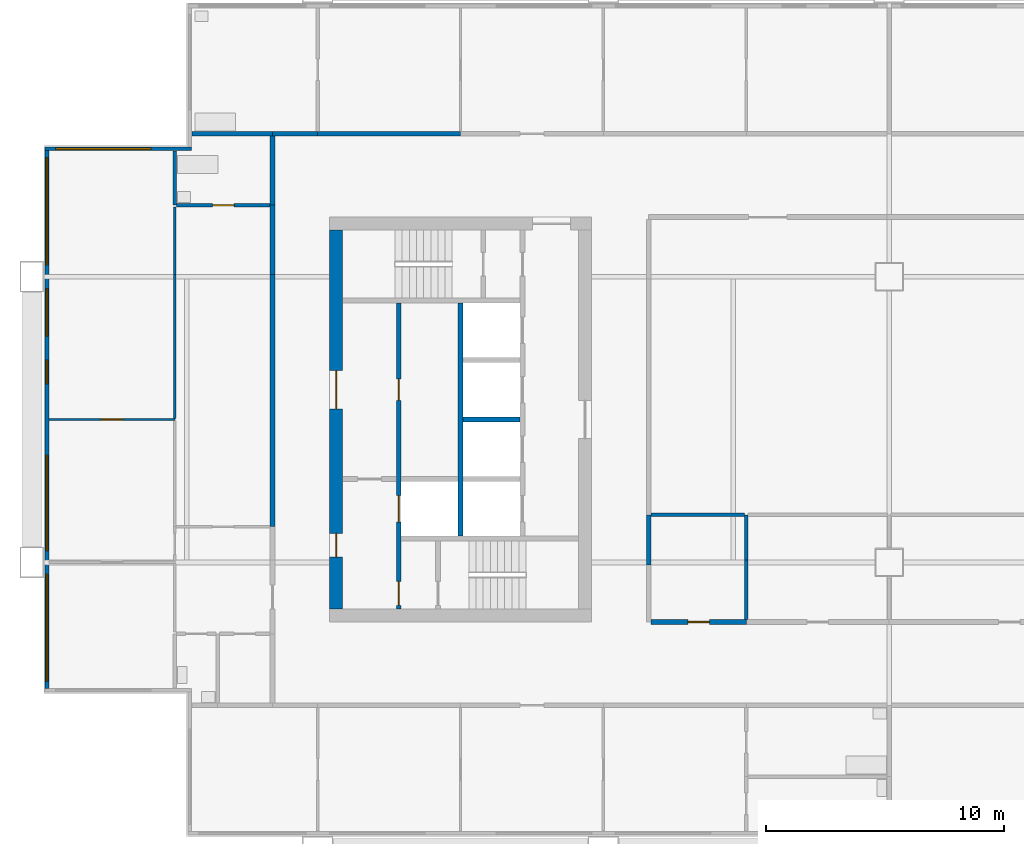
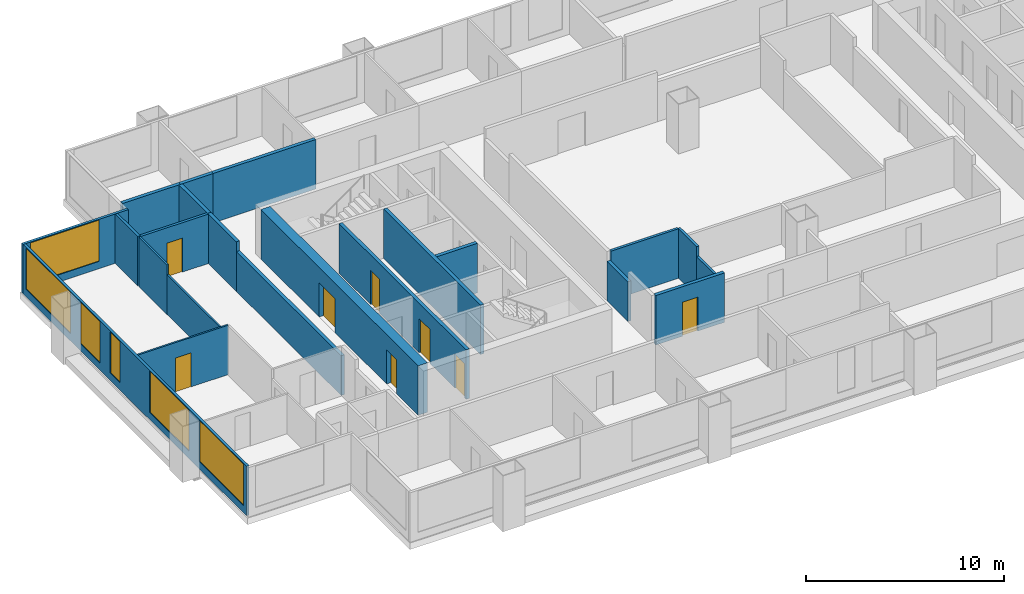
# One storey, part 3 of 8: 22 walls, 8 doors, 6 windows, 14 openings.
"""IFC4 building model written with IfcOpenShell, lengths in metres."""

from ifc_helpers import new_model, si_unit, direction, frame, frame_2d, origin, place, context, subcontext, project, spatial, rectangle, extrude, material, layer, layer_set, type_object, element, fill, save


model = new_model("IFC4")

# Units and contexts
model_context = context("Model", 3, precision=1e-05, world=origin(), true_north=direction((0.0, 1.0)))
body_context = subcontext(model_context, "Body", "Model", "MODEL_VIEW")
ifc_project = project(units=[si_unit("LENGTHUNIT", "METRE"), si_unit("AREAUNIT", "SQUARE_METRE"), si_unit("VOLUMEUNIT", "CUBIC_METRE"), si_unit("PLANEANGLEUNIT", "RADIAN"), si_unit("MASSUNIT", "GRAM", prefix="KILO")], contexts=[model_context])

# Site, building, storey
site_placement = place(None, origin())
site = spatial("IfcSite", under=ifc_project, at=site_placement, CompositionType="ELEMENT")
building_placement = place(site_placement, origin())
building = spatial("IfcBuilding", under=site, at=building_placement, Name="Kitamizu Gate Tower and Museum", CompositionType="ELEMENT")
storey_placement = place(building_placement, frame((0.0, 0.0, 165.14990234375)))
storey = spatial("IfcBuildingStorey", under=building, at=storey_placement, Name="L43", CompositionType="ELEMENT", Elevation=165.14990234375)

# Wall, openings, doors
ifc_material_1 = material(Name="Concrete Fc42", Category="concrete")
ifc_layer_1 = layer(ifc_material_1, 0.550048828125)
ifc_layer_set_1 = layer_set([ifc_layer_1], Name="Concrete Fc42")
wall_type_1 = type_object("IfcWallType", Name="Core wall 550", PredefinedType="SHEAR", material=ifc_layer_set_1)
wall_1_placement = place(storey_placement, frame((12.77490234375, 22.050048828125, 0.0), z_axis=(0.0, 0.0, 1.0), x_axis=(0.0, 1.0, 0.0)))
wall_1 = element("IfcWall", 1, at=wall_1_placement, inside=storey, type_object=wall_type_1, Name="Core wall WOUT", PredefinedType="SHEAR", context=body_context, shape_type="SweptSolid", body=[
    extrude(rectangle(XDim=15.89990234375, YDim=0.550048828125, at=frame_2d((7.949951171875, 0.0))), origin(), (0.0, 0.0, 1.0), 3.050048828125),
])
opening_1_placement = place(wall_1_placement, frame((8.39990234375, 0.0, 0.0)))
opening_1 = element("IfcOpeningElement", 2, at=opening_1_placement, cuts=wall_1, Name="Opening L43-032", PredefinedType="OPENING", context=body_context, shape_type="SweptSolid", body=[
    extrude(rectangle(XDim=1.60009765625, YDim=2.10009765625, at=frame_2d((0.800048828125, 1.050048828125))), frame((0.0, 0.28515625, 0.0), z_axis=(0.0, -1.0, 0.0), x_axis=(1.0, 0.0, 0.0)), (0.0, 0.0, 1.0), 0.570068359375),
])
opening_2_placement = place(wall_1_placement, frame((2.175048828125, 0.0, 0.0)))
opening_2 = element("IfcOpeningElement", 3, at=opening_2_placement, cuts=wall_1, Name="Opening L43-033", PredefinedType="OPENING", context=body_context, shape_type="SweptSolid", body=[
    extrude(rectangle(XDim=1.0, YDim=2.10009765625, at=frame_2d((0.5, 1.050048828125))), frame((0.0, 0.28515625, 0.0), z_axis=(0.0, -1.0, 0.0), x_axis=(1.0, 0.0, 0.0)), (0.0, 0.0, 1.0), 0.570068359375),
])
ifc_material_2 = material(Name="Timber door set", Category="wood")
door_type_1 = type_object("IfcDoorType", Name="Entrance door 1600", OperationType="DOUBLE_DOOR_SINGLE_SWING", PredefinedType="DOOR", material=ifc_material_2)
door_1_placement = place(opening_1_placement, origin())
door_1 = element("IfcDoor", 4, at=door_1_placement, inside=storey, type_object=door_type_1, Name="Lobby door L43-032", OperationType="DOUBLE_DOOR_SINGLE_SWING", OverallHeight=2.10009765625, OverallWidth=1.60009765625, PredefinedType="DOOR", context=body_context, shape_type="SweptSolid", body=[
    extrude(rectangle(XDim=1.60009765625, YDim=2.10009765625, at=frame_2d((0.800048828125, 1.050048828125))), frame((0.0, 0.02490234375, 0.0), z_axis=(0.0, -1.0, 0.0), x_axis=(1.0, 0.0, 0.0)), (0.0, 0.0, 1.0), 0.050048828125),
])
fill(opening_1, door_1)
ifc_material_3 = material(Name="Hollow metal door set")
door_type_2 = type_object("IfcDoorType", Name="Fire door 1000", OperationType="NOTDEFINED", PredefinedType="DOOR", material=ifc_material_3)
door_2_placement = place(opening_2_placement, frame((1.0, 0.0, 0.0), x_axis=(-1.0, 0.0, 0.0)))
door_2 = element("IfcDoor", 5, at=door_2_placement, inside=storey, type_object=door_type_2, Name="Fire-fighting lobby door L43-033", OperationType="SINGLE_SWING_LEFT", OverallHeight=2.10009765625, OverallWidth=1.0, PredefinedType="DOOR", context=body_context, shape_type="SweptSolid", body=[
    extrude(rectangle(XDim=1.0, YDim=2.10009765625, at=frame_2d((0.5, 1.050048828125))), frame((0.0, 0.02490234375, 0.0), z_axis=(0.0, -1.0, 0.0), x_axis=(1.0, 0.0, 0.0)), (0.0, 0.0, 1.0), 0.050048828125),
])
fill(opening_2, door_2)

# Wall, opening, door
ifc_material_4 = material(Name="Gypsum board on galvanised stud")
ifc_layer_2 = layer(ifc_material_4, 0.10009765625)
ifc_layer_set_2 = layer_set([ifc_layer_2], Name="Gypsum board on galvanised stud")
wall_type_2 = type_object("IfcWallType", Name="Partition 100 NOT RATED", PredefinedType="PARTITIONING", material=ifc_layer_set_2)
wall_2_placement = place(storey_placement, frame((6.0, 30.0, 0.0), z_axis=(0.0, 0.0, 1.0), x_axis=(-1.0, 0.0, 0.0)))
wall_2 = element("IfcWall", 6, at=wall_2_placement, inside=storey, type_object=wall_type_2, Name="Partition L43-030", PredefinedType="PARTITIONING", context=body_context, shape_type="SweptSolid", body=[
    extrude(rectangle(XDim=5.280029296875, YDim=0.10009765625, at=frame_2d((2.64013671875, 0.0))), origin(), (0.0, 0.0, 1.0), 3.050048828125),
])
opening_3_placement = place(wall_2_placement, frame((2.18994140625, 0.0, 0.0)))
opening_3 = element("IfcOpeningElement", 7, at=opening_3_placement, cuts=wall_2, Name="Opening L43-015", PredefinedType="OPENING", context=body_context, shape_type="SweptSolid", body=[
    extrude(rectangle(XDim=0.89990234375, YDim=2.10009765625, at=frame_2d((0.449951171875, 1.050048828125))), frame((0.0, 0.06005859375, 0.0), z_axis=(0.0, -1.0, 0.0), x_axis=(1.0, 0.0, 0.0)), (0.0, 0.0, 1.0), 0.1201171875),
])
ifc_material_5 = material(Name="Timber door set", Category="wood")
door_type_3 = type_object("IfcDoorType", Name="Room door 900", OperationType="NOTDEFINED", PredefinedType="DOOR", material=ifc_material_5)
door_3_placement = place(opening_3_placement, origin())
door_3 = element("IfcDoor", 8, at=door_3_placement, inside=storey, type_object=door_type_3, Name="Door L43-015", OperationType="SINGLE_SWING_RIGHT", OverallHeight=2.10009765625, OverallWidth=0.89990234375, PredefinedType="DOOR", context=body_context, shape_type="SweptSolid", body=[
    extrude(rectangle(XDim=0.89990234375, YDim=2.10009765625, at=frame_2d((0.449951171875, 1.050048828125))), frame((0.0, 0.02490234375, 0.0), z_axis=(0.0, -1.0, 0.0), x_axis=(1.0, 0.0, 0.0)), (0.0, 0.0, 1.0), 0.050048828125),
])
fill(opening_3, door_3)

# Walls
wall_3_placement = place(storey_placement, frame((6.0, 30.050048828125, 0.0), z_axis=(0.0, 0.0, 1.0), x_axis=(0.0, 1.0, 0.0)))
element("IfcWall", 9, at=wall_3_placement, inside=storey, type_object=wall_type_2, Name="Partition L43-033", PredefinedType="PARTITIONING", context=body_context, shape_type="SweptSolid", body=[
    extrude(rectangle(XDim=6.050048828125, YDim=0.10009765625, at=frame_2d((3.02490234375, 0.0))), origin(), (0.0, 0.0, 1.0), 2.4501953125),
])
wall_4_placement = place(storey_placement, frame((6.0, 36.10009765625, 0.0), z_axis=(0.0, 0.0, 1.0), x_axis=(0.0, 1.0, 0.0)))
element("IfcWall", 10, at=wall_4_placement, inside=storey, type_object=wall_type_2, Name="Partition L43-034", PredefinedType="PARTITIONING", context=body_context, shape_type="SweptSolid", body=[
    extrude(rectangle(XDim=2.824951171875, YDim=0.10009765625, at=frame_2d((1.41259765625, 0.0))), origin(), (0.0, 0.0, 1.0), 3.050048828125),
])
ifc_material_6 = material(Name="Gypsum board on galvanised stud")
ifc_layer_3 = layer(ifc_material_6, 0.14990234375)
ifc_layer_set_3 = layer_set([ifc_layer_3], Name="Gypsum board on galvanised stud")
wall_type_3 = type_object("IfcWallType", Name="Partition 150", PredefinedType="PARTITIONING", material=ifc_layer_set_3)
wall_5_placement = place(storey_placement, frame((6.0, 39.0, 0.0), z_axis=(0.0, 0.0, 1.0), x_axis=(0.0, 1.0, 0.0)))
element("IfcWall", 11, at=wall_5_placement, inside=storey, type_object=wall_type_3, Name="Partition L43-035", PredefinedType="PARTITIONING", context=body_context, shape_type="SweptSolid", body=[
    extrude(rectangle(XDim=2.280029296875, YDim=0.14990234375, at=frame_2d((1.14013671875, 0.0))), origin(), (0.0, 0.0, 1.0), 3.050048828125),
])

# Wall, opening, door
wall_6_placement = place(storey_placement, frame((10.0, 39.0, 0.0), z_axis=(0.0, 0.0, 1.0), x_axis=(-1.0, 0.0, 0.0)))
wall_6 = element("IfcWall", 12, at=wall_6_placement, inside=storey, type_object=wall_type_3, Name="Partition L43-043", PredefinedType="PARTITIONING", context=body_context, shape_type="SweptSolid", body=[
    extrude(rectangle(XDim=3.925048828125, YDim=0.14990234375, at=frame_2d((1.96240234375, 0.0))), origin(), (0.0, 0.0, 1.0), 3.050048828125),
])
opening_4_placement = place(wall_6_placement, frame((1.512451171875, 0.0, 0.0)))
opening_4 = element("IfcOpeningElement", 13, at=opening_4_placement, cuts=wall_6, Name="Opening L43-019", PredefinedType="OPENING", context=body_context, shape_type="SweptSolid", body=[
    extrude(rectangle(XDim=0.89990234375, YDim=2.10009765625, at=frame_2d((0.449951171875, 1.050048828125))), frame((0.0, 0.0849609375, 0.0), z_axis=(0.0, -1.0, 0.0), x_axis=(1.0, 0.0, 0.0)), (0.0, 0.0, 1.0), 0.169921875),
])
ifc_material_7 = material(Name="Timber door set", Category="wood")
door_type_4 = type_object("IfcDoorType", Name="Bathroom door 900", OperationType="NOTDEFINED", PredefinedType="DOOR", material=ifc_material_7)
door_4_placement = place(opening_4_placement, frame((0.89990234375, 0.0, 0.0), x_axis=(-1.0, 0.0, 0.0)))
door_4 = element("IfcDoor", 14, at=door_4_placement, inside=storey, type_object=door_type_4, Name="Bathroom door L43-019", OperationType="SINGLE_SWING_LEFT", OverallHeight=2.10009765625, OverallWidth=0.89990234375, PredefinedType="DOOR", context=body_context, shape_type="SweptSolid", body=[
    extrude(rectangle(XDim=0.89990234375, YDim=2.10009765625, at=frame_2d((0.449951171875, 1.050048828125))), frame((0.0, 0.02490234375, 0.0), z_axis=(0.0, -1.0, 0.0), x_axis=(1.0, 0.0, 0.0)), (0.0, 0.0, 1.0), 0.050048828125),
])
fill(opening_4, door_4)

# Walls
wall_7_placement = place(storey_placement, frame((30.0, 21.60009765625, 0.0), z_axis=(0.0, 0.0, 1.0), x_axis=(0.0, 1.0, 0.0)))
element("IfcWall", 15, at=wall_7_placement, inside=storey, type_object=wall_type_3, Name="Partition L43-063", PredefinedType="PARTITIONING", context=body_context, shape_type="SweptSolid", body=[
    extrude(rectangle(XDim=2.5, YDim=0.14990234375, at=frame_2d((1.25, 0.0))), origin(), (0.0, 0.0, 1.0), 2.4501953125),
])
wall_8_placement = place(storey_placement, frame((30.0, 24.10009765625, 0.0), z_axis=(0.0, 0.0, 1.0), x_axis=(0.0, 1.0, 0.0)))
element("IfcWall", 16, at=wall_8_placement, inside=storey, type_object=wall_type_3, Name="Partition L43-064", PredefinedType="PARTITIONING", context=body_context, shape_type="SweptSolid", body=[
    extrude(rectangle(XDim=1.89990234375, YDim=0.14990234375, at=frame_2d((0.949951171875, 0.0))), origin(), (0.0, 0.0, 1.0), 3.050048828125),
])
wall_9_placement = place(storey_placement, frame((29.925048828125, 26.0, 0.0), z_axis=(0.0, 0.0, 1.0), x_axis=(-1.0, 0.0, 0.0)))
element("IfcWall", 17, at=wall_9_placement, inside=storey, type_object=wall_type_3, Name="Partition L43-065", PredefinedType="PARTITIONING", context=body_context, shape_type="SweptSolid", body=[
    extrude(rectangle(XDim=3.925048828125, YDim=0.14990234375, at=frame_2d((1.96240234375, 0.0))), origin(), (0.0, 0.0, 1.0), 3.050048828125),
])
ifc_material_8 = material(Name="Gypsum board on galvanised stud")
ifc_layer_4 = layer(ifc_material_8, 0.199951171875)
ifc_layer_set_4 = layer_set([ifc_layer_4], Name="Gypsum board on galvanised stud")
wall_type_4 = type_object("IfcWallType", Name="Partition 200", PredefinedType="PARTITIONING", material=ifc_layer_set_4)
wall_10_placement = place(storey_placement, frame((6.719970703125, 42.0, 0.0), z_axis=(0.0, 0.0, 1.0), x_axis=(1.0, 0.0, 0.0)))
element("IfcWall", 18, at=wall_10_placement, inside=storey, type_object=wall_type_4, Name="Partition L43-017", PredefinedType="PARTITIONING", context=body_context, shape_type="SweptSolid", body=[
    extrude(rectangle(XDim=3.380126953125, YDim=0.199951171875, at=frame_2d((1.68994140625, 0.0))), origin(), (0.0, 0.0, 1.0), 3.050048828125),
])
wall_11_placement = place(storey_placement, frame((10.10009765625, 42.0, 0.0), z_axis=(0.0, 0.0, 1.0), x_axis=(1.0, 0.0, 0.0)))
element("IfcWall", 19, at=wall_11_placement, inside=storey, type_object=wall_type_4, Name="Partition L43-018", PredefinedType="PARTITIONING", context=body_context, shape_type="SweptSolid", body=[
    extrude(rectangle(XDim=1.89990234375, YDim=0.199951171875, at=frame_2d((0.949951171875, 0.0))), origin(), (0.0, 0.0, 1.0), 3.050048828125),
])
wall_12_placement = place(storey_placement, frame((12.0, 42.0, 0.0), z_axis=(0.0, 0.0, 1.0), x_axis=(1.0, 0.0, 0.0)))
element("IfcWall", 20, at=wall_12_placement, inside=storey, type_object=wall_type_4, Name="Partition L43-020", PredefinedType="PARTITIONING", context=body_context, shape_type="SweptSolid", body=[
    extrude(rectangle(XDim=6.0, YDim=0.199951171875, at=frame_2d((3.0, 0.0))), origin(), (0.0, 0.0, 1.0), 3.050048828125),
])
wall_13_placement = place(storey_placement, frame((10.10009765625, 25.5, 0.0), z_axis=(0.0, 0.0, 1.0), x_axis=(0.0, 1.0, 0.0)))
element("IfcWall", 21, at=wall_13_placement, inside=storey, type_object=wall_type_4, Name="Partition L43-044", PredefinedType="PARTITIONING", context=body_context, shape_type="SweptSolid", body=[
    extrude(rectangle(XDim=10.60009765625, YDim=0.199951171875, at=frame_2d((5.300048828125, 0.0))), origin(), (0.0, 0.0, 1.0), 2.4501953125),
])
for number, where, z_axis, x_axis, name in (
    (22, (10.10009765625, 36.10009765625, 0.0), (0.0, 0.0, 1.0), (0.0, 1.0, 0.0), "Partition L43-045"),
    (23, (10.10009765625, 39.0, 0.0), (0.0, 0.0, 1.0), (0.0, 1.0, 0.0), "Partition L43-046"),
):
    element("IfcWall", number, at=place(storey_placement, frame(where, z_axis=z_axis, x_axis=x_axis)), inside=storey, type_object=wall_type_4, Name=name, PredefinedType="PARTITIONING", context=body_context, shape_type="SweptSolid", body=[
        extrude(rectangle(XDim=2.89990234375, YDim=0.199951171875, at=frame_2d((1.449951171875, 0.0))), origin(), (0.0, 0.0, 1.0), 3.050048828125),
    ])
wall_14_placement = place(storey_placement, frame((25.89990234375, 26.0, 0.0), z_axis=(0.0, 0.0, 1.0), x_axis=(0.0, -1.0, 0.0)))
element("IfcWall", 24, at=wall_14_placement, inside=storey, type_object=wall_type_4, Name="Partition L43-049", PredefinedType="PARTITIONING", context=body_context, shape_type="SweptSolid", body=[
    extrude(rectangle(XDim=2.10009765625, YDim=0.199951171875, at=frame_2d((1.050048828125, 0.0))), origin(), (0.0, 0.0, 1.0), 2.4501953125),
])

# Wall, opening, door
wall_15_placement = place(storey_placement, frame((26.0, 21.5, 0.0), z_axis=(0.0, 0.0, 1.0), x_axis=(1.0, 0.0, 0.0)))
wall_15 = element("IfcWall", 25, at=wall_15_placement, inside=storey, type_object=wall_type_4, Name="Partition L43-051", PredefinedType="PARTITIONING", context=body_context, shape_type="SweptSolid", body=[
    extrude(rectangle(XDim=4.0, YDim=0.199951171875, at=frame_2d((2.0, 0.0))), origin(), (0.0, 0.0, 1.0), 3.050048828125),
])
opening_5_placement = place(wall_15_placement, frame((1.550048828125, 0.0, 0.0)))
opening_5 = element("IfcOpeningElement", 26, at=opening_5_placement, cuts=wall_15, Name="Opening L43-022", PredefinedType="OPENING", context=body_context, shape_type="SweptSolid", body=[
    extrude(rectangle(XDim=0.89990234375, YDim=2.10009765625, at=frame_2d((0.449951171875, 1.050048828125))), frame((0.0, 0.10986328125, 0.0), z_axis=(0.0, -1.0, 0.0), x_axis=(1.0, 0.0, 0.0)), (0.0, 0.0, 1.0), 0.219970703125),
])
door_5_placement = place(opening_5_placement, origin())
door_5 = element("IfcDoor", 27, at=door_5_placement, inside=storey, type_object=door_type_3, Name="Door L43-022", OperationType="SINGLE_SWING_LEFT", OverallHeight=2.10009765625, OverallWidth=0.89990234375, PredefinedType="DOOR", context=body_context, shape_type="SweptSolid", body=[
    extrude(rectangle(XDim=0.89990234375, YDim=2.10009765625, at=frame_2d((0.449951171875, 1.050048828125))), frame((0.0, 0.02490234375, 0.0), z_axis=(0.0, -1.0, 0.0), x_axis=(1.0, 0.0, 0.0)), (0.0, 0.0, 1.0), 0.050048828125),
])
fill(opening_5, door_5)

# Wall, openings, doors
ifc_material_9 = material(Name="Concrete Fc42", Category="concrete")
ifc_layer_5 = layer(ifc_material_9, 0.199951171875)
ifc_layer_set_5 = layer_set([ifc_layer_5], Name="Concrete Fc42")
wall_type_5 = type_object("IfcWallType", Name="Shaft wall 200", PredefinedType="SOLIDWALL", material=ifc_layer_set_5)
wall_16_placement = place(storey_placement, frame((15.39990234375, 22.050048828125, 0.0), z_axis=(0.0, 0.0, 1.0), x_axis=(0.0, 1.0, 0.0)))
wall_16 = element("IfcWall", 28, at=wall_16_placement, inside=storey, type_object=wall_type_5, Name="Shaft wall WWEST", PredefinedType="SOLIDWALL", context=body_context, shape_type="SweptSolid", body=[
    extrude(rectangle(XDim=12.849853515625, YDim=0.199951171875, at=frame_2d((6.4248046875, 0.0))), origin(), (0.0, 0.0, 1.0), 3.050048828125),
])
opening_6_placement = place(wall_16_placement, frame((3.64990234375, 0.0, 0.0)))
opening_6 = element("IfcOpeningElement", 29, at=opening_6_placement, cuts=wall_16, Name="Opening LD", PredefinedType="OPENING", context=body_context, shape_type="SweptSolid", body=[
    extrude(rectangle(XDim=1.10009765625, YDim=2.10009765625, at=frame_2d((0.550048828125, 1.050048828125))), frame((0.0, 0.10986328125, 0.0), z_axis=(0.0, -1.0, 0.0), x_axis=(1.0, 0.0, 0.0)), (0.0, 0.0, 1.0), 0.219970703125),
])
opening_7_placement = place(wall_16_placement, frame((0.14990234375, 0.0, 0.0)))
opening_7 = element("IfcOpeningElement", 30, at=opening_7_placement, cuts=wall_16, Name="Opening L43-028", PredefinedType="OPENING", context=body_context, shape_type="SweptSolid", body=[
    extrude(rectangle(XDim=1.0, YDim=2.10009765625, at=frame_2d((0.5, 1.050048828125))), frame((0.0, 0.10986328125, 0.0), z_axis=(0.0, -1.0, 0.0), x_axis=(1.0, 0.0, 0.0)), (0.0, 0.0, 1.0), 0.219970703125),
])
opening_8_placement = place(wall_16_placement, frame((8.75, 0.0, 0.0)))
opening_8 = element("IfcOpeningElement", 31, at=opening_8_placement, cuts=wall_16, Name="Opening L43-036", PredefinedType="OPENING", context=body_context, shape_type="SweptSolid", body=[
    extrude(rectangle(XDim=0.89990234375, YDim=2.10009765625, at=frame_2d((0.449951171875, 1.050048828125))), frame((0.0, 0.10986328125, 0.0), z_axis=(0.0, -1.0, 0.0), x_axis=(1.0, 0.0, 0.0)), (0.0, 0.0, 1.0), 0.219970703125),
])
door_6_placement = place(opening_7_placement, frame((1.0, 0.0, 0.0), x_axis=(-1.0, 0.0, 0.0)))
door_6 = element("IfcDoor", 32, at=door_6_placement, inside=storey, type_object=door_type_2, Name="Stair lobby door L43-028", OperationType="SINGLE_SWING_LEFT", OverallHeight=2.10009765625, OverallWidth=1.0, PredefinedType="DOOR", context=body_context, shape_type="SweptSolid", body=[
    extrude(rectangle(XDim=1.0, YDim=2.10009765625, at=frame_2d((0.5, 1.050048828125))), frame((0.0, 0.02490234375, 0.0), z_axis=(0.0, -1.0, 0.0), x_axis=(1.0, 0.0, 0.0)), (0.0, 0.0, 1.0), 0.050048828125),
])
fill(opening_7, door_6)
ifc_material_10 = material(Name="Hollow metal door set")
door_type_5 = type_object("IfcDoorType", Name="Landing door 1100", OperationType="SLIDING_TO_LEFT", PredefinedType="DOOR", material=ifc_material_10)
door_7_placement = place(opening_6_placement, origin())
door_7 = element("IfcDoor", 33, at=door_7_placement, inside=storey, type_object=door_type_5, Name="Landing door WFF1", OperationType="SLIDING_TO_LEFT", OverallHeight=2.10009765625, OverallWidth=1.10009765625, PredefinedType="DOOR", context=body_context, shape_type="SweptSolid", body=[
    extrude(rectangle(XDim=1.10009765625, YDim=2.10009765625, at=frame_2d((0.550048828125, 1.050048828125))), frame((0.0, 0.02490234375, 0.0), z_axis=(0.0, -1.0, 0.0), x_axis=(1.0, 0.0, 0.0)), (0.0, 0.0, 1.0), 0.050048828125),
])
fill(opening_6, door_7)
ifc_material_11 = material(Name="Timber door set", Category="wood")
door_type_6 = type_object("IfcDoorType", Name="Service door 900", OperationType="NOTDEFINED", PredefinedType="DOOR", material=ifc_material_11)
door_8_placement = place(opening_8_placement, frame((0.89990234375, 0.0, 0.0), x_axis=(-1.0, 0.0, 0.0)))
door_8 = element("IfcDoor", 34, at=door_8_placement, inside=storey, type_object=door_type_6, Name="Service door L43-036", OperationType="SINGLE_SWING_RIGHT", OverallHeight=2.10009765625, OverallWidth=0.89990234375, PredefinedType="DOOR", context=body_context, shape_type="SweptSolid", body=[
    extrude(rectangle(XDim=0.89990234375, YDim=2.10009765625, at=frame_2d((0.449951171875, 1.050048828125))), frame((0.0, 0.02490234375, 0.0), z_axis=(0.0, -1.0, 0.0), x_axis=(1.0, 0.0, 0.0)), (0.0, 0.0, 1.0), 0.050048828125),
])
fill(opening_8, door_8)

# Walls
wall_17_placement = place(storey_placement, frame((18.0, 25.10009765625, 0.0), z_axis=(0.0, 0.0, 1.0), x_axis=(0.0, 1.0, 0.0)))
element("IfcWall", 35, at=wall_17_placement, inside=storey, type_object=wall_type_5, Name="Shaft wall WMID", PredefinedType="SOLIDWALL", context=body_context, shape_type="SweptSolid", body=[
    extrude(rectangle(XDim=9.7998046875, YDim=0.199951171875, at=frame_2d((4.89990234375, 0.0))), origin(), (0.0, 0.0, 1.0), 3.050048828125),
])
wall_18_placement = place(storey_placement, frame((18.10009765625, 30.0, 0.0), z_axis=(0.0, 0.0, 1.0), x_axis=(1.0, 0.0, 0.0)))
element("IfcWall", 36, at=wall_18_placement, inside=storey, type_object=wall_type_5, Name="Shaft wall WDVE1", PredefinedType="SOLIDWALL", context=body_context, shape_type="SweptSolid", body=[
    extrude(rectangle(XDim=2.39990234375, YDim=0.199951171875, at=frame_2d((1.199951171875, 0.0))), origin(), (0.0, 0.0, 1.0), 3.050048828125),
])

# Wall, opening, window
ifc_material_12 = material(Name="Bronze anodised aluminium frame with insulated spandrel and tinted glass", Category="aluminium")
ifc_layer_6 = layer(ifc_material_12, 0.14990234375)
ifc_layer_set_6 = layer_set([ifc_layer_6], Name="Bronze anodised aluminium frame with insulated spandrel and tinted glass")
wall_type_6 = type_object("IfcWallType", Name="WINDOW WALL 150 BRONZE FRAME EI 30", PredefinedType="ELEMENTEDWALL", material=ifc_layer_set_6)
wall_19_placement = place(storey_placement, frame((0.56005859375, 41.364990234375, 0.0), z_axis=(0.0, 0.0, 1.0), x_axis=(1.0, 0.0, 0.0)))
wall_19 = element("IfcWall", 37, at=wall_19_placement, inside=storey, type_object=wall_type_6, Name="Window wall north L43", PredefinedType="ELEMENTEDWALL", context=body_context, shape_type="SweptSolid", body=[
    extrude(rectangle(XDim=6.14990234375, YDim=0.14990234375, at=frame_2d((3.074951171875, 0.0))), origin(), (0.0, 0.0, 1.0), 3.050048828125),
])
opening_9_placement = place(wall_19_placement, frame((0.43994140625, 0.0, 0.449951171875)))
opening_9 = element("IfcOpeningElement", 38, at=opening_9_placement, cuts=wall_19, Name="Opening W16", PredefinedType="OPENING", context=body_context, shape_type="SweptSolid", body=[
    extrude(rectangle(XDim=4.0, YDim=2.550048828125, at=frame_2d((2.0, 1.27490234375))), frame((0.0, 0.0849609375, 0.0), z_axis=(0.0, -1.0, 0.0), x_axis=(1.0, 0.0, 0.0)), (0.0, 0.0, 1.0), 0.169921875),
])
ifc_material_13 = material(Name="Bronze anodised aluminium frame, tinted triple glazing", Category="aluminium")
window_type_1 = type_object("IfcWindowType", Name="WINDOW 4000 x 2550 SILL 450", PartitioningType="SINGLE_PANEL", PredefinedType="WINDOW", material=ifc_material_13)
window_1_placement = place(opening_9_placement, origin())
window_1 = element("IfcWindow", 39, at=window_1_placement, inside=storey, type_object=window_type_1, Name="Window W16 L43", OverallHeight=2.550048828125, OverallWidth=4.0, PartitioningType="SINGLE_PANEL", PredefinedType="WINDOW", context=body_context, shape_type="SweptSolid", body=[
    extrude(rectangle(XDim=4.0, YDim=2.550048828125, at=frame_2d((2.0, 1.27490234375))), frame((0.0, 0.030029296875, 0.0), z_axis=(0.0, -1.0, 0.0), x_axis=(1.0, 0.0, 0.0)), (0.0, 0.0, 1.0), 0.06005859375),
])
fill(opening_9, window_1)

# Wall, openings, windows
wall_20_placement = place(storey_placement, frame((0.635009765625, 18.7099609375, 0.0), z_axis=(0.0, 0.0, 1.0), x_axis=(0.0, 1.0, 0.0)))
wall_20 = element("IfcWall", 40, at=wall_20_placement, inside=storey, type_object=wall_type_6, Name="Window wall west L43", PredefinedType="ELEMENTEDWALL", context=body_context, shape_type="SweptSolid", body=[
    extrude(rectangle(XDim=22.580078125, YDim=0.14990234375, at=frame_2d((11.2900390625, 0.0))), origin(), (0.0, 0.0, 1.0), 3.050048828125),
])
opening_10_placement = place(wall_20_placement, frame((0.2900390625, 0.0, 0.449951171875)))
opening_10 = element("IfcOpeningElement", 41, at=opening_10_placement, cuts=wall_20, Name="Opening W15", PredefinedType="OPENING", context=body_context, shape_type="SweptSolid", body=[
    extrude(rectangle(XDim=4.5, YDim=2.550048828125, at=frame_2d((2.25, 1.27490234375))), frame((0.0, 0.0849609375, 0.0), z_axis=(0.0, -1.0, 0.0), x_axis=(1.0, 0.0, 0.0)), (0.0, 0.0, 1.0), 0.169921875),
])
opening_11_placement = place(wall_20_placement, frame((5.7900390625, 0.0, 0.449951171875)))
opening_11 = element("IfcOpeningElement", 42, at=opening_11_placement, cuts=wall_20, Name="Opening W16", PredefinedType="OPENING", context=body_context, shape_type="SweptSolid", body=[
    extrude(rectangle(XDim=4.0, YDim=2.550048828125, at=frame_2d((2.0, 1.27490234375))), frame((0.0, 0.0849609375, 0.0), z_axis=(0.0, -1.0, 0.0), x_axis=(1.0, 0.0, 0.0)), (0.0, 0.0, 1.0), 0.169921875),
])
opening_12_placement = place(wall_20_placement, frame((12.7900390625, 0.0, 0.449951171875)))
opening_12 = element("IfcOpeningElement", 43, at=opening_12_placement, cuts=wall_20, Name="Opening W26", PredefinedType="OPENING", context=body_context, shape_type="SweptSolid", body=[
    extrude(rectangle(XDim=1.0, YDim=2.550048828125, at=frame_2d((0.5, 1.27490234375))), frame((0.0, 0.0849609375, 0.0), z_axis=(0.0, -1.0, 0.0), x_axis=(1.0, 0.0, 0.0)), (0.0, 0.0, 1.0), 0.169921875),
])
opening_13_placement = place(wall_20_placement, frame((14.7900390625, 0.0, 0.449951171875)))
opening_13 = element("IfcOpeningElement", 44, at=opening_13_placement, cuts=wall_20, Name="Opening W2", PredefinedType="OPENING", context=body_context, shape_type="SweptSolid", body=[
    extrude(rectangle(XDim=2.0, YDim=2.550048828125, at=frame_2d((1.0, 1.27490234375))), frame((0.0, 0.0849609375, 0.0), z_axis=(0.0, -1.0, 0.0), x_axis=(1.0, 0.0, 0.0)), (0.0, 0.0, 1.0), 0.169921875),
])
opening_14_placement = place(wall_20_placement, frame((17.7900390625, 0.0, 0.449951171875)))
opening_14 = element("IfcOpeningElement", 45, at=opening_14_placement, cuts=wall_20, Name="Opening W15", PredefinedType="OPENING", context=body_context, shape_type="SweptSolid", body=[
    extrude(rectangle(XDim=4.5, YDim=2.550048828125, at=frame_2d((2.25, 1.27490234375))), frame((0.0, 0.0849609375, 0.0), z_axis=(0.0, -1.0, 0.0), x_axis=(1.0, 0.0, 0.0)), (0.0, 0.0, 1.0), 0.169921875),
])
ifc_material_14 = material(Name="Bronze anodised aluminium frame, tinted triple glazing", Category="aluminium")
window_type_2 = type_object("IfcWindowType", Name="WINDOW 1000 x 2550 SILL 450", PartitioningType="SINGLE_PANEL", PredefinedType="WINDOW", material=ifc_material_14)
window_2_placement = place(opening_12_placement, origin())
window_2 = element("IfcWindow", 46, at=window_2_placement, inside=storey, type_object=window_type_2, Name="Window W26 L43", OverallHeight=2.550048828125, OverallWidth=1.0, PartitioningType="SINGLE_PANEL", PredefinedType="WINDOW", context=body_context, shape_type="SweptSolid", body=[
    extrude(rectangle(XDim=1.0, YDim=2.550048828125, at=frame_2d((0.5, 1.27490234375))), frame((0.0, 0.030029296875, 0.0), z_axis=(0.0, -1.0, 0.0), x_axis=(1.0, 0.0, 0.0)), (0.0, 0.0, 1.0), 0.06005859375),
])
fill(opening_12, window_2)
ifc_material_15 = material(Name="Bronze anodised aluminium frame, tinted triple glazing", Category="aluminium")
window_type_3 = type_object("IfcWindowType", Name="WINDOW 2000 x 2550 SILL 450", PartitioningType="SINGLE_PANEL", PredefinedType="WINDOW", material=ifc_material_15)
window_3_placement = place(opening_13_placement, origin())
window_3 = element("IfcWindow", 47, at=window_3_placement, inside=storey, type_object=window_type_3, Name="Window W2 L43", OverallHeight=2.550048828125, OverallWidth=2.0, PartitioningType="SINGLE_PANEL", PredefinedType="WINDOW", context=body_context, shape_type="SweptSolid", body=[
    extrude(rectangle(XDim=2.0, YDim=2.550048828125, at=frame_2d((1.0, 1.27490234375))), frame((0.0, 0.030029296875, 0.0), z_axis=(0.0, -1.0, 0.0), x_axis=(1.0, 0.0, 0.0)), (0.0, 0.0, 1.0), 0.06005859375),
])
fill(opening_13, window_3)
window_4_placement = place(opening_11_placement, origin())
window_4 = element("IfcWindow", 48, at=window_4_placement, inside=storey, type_object=window_type_1, Name="Window W16 L43", OverallHeight=2.550048828125, OverallWidth=4.0, PartitioningType="SINGLE_PANEL", PredefinedType="WINDOW", context=body_context, shape_type="SweptSolid", body=[
    extrude(rectangle(XDim=4.0, YDim=2.550048828125, at=frame_2d((2.0, 1.27490234375))), frame((0.0, 0.030029296875, 0.0), z_axis=(0.0, -1.0, 0.0), x_axis=(1.0, 0.0, 0.0)), (0.0, 0.0, 1.0), 0.06005859375),
])
fill(opening_11, window_4)
ifc_material_16 = material(Name="Bronze anodised aluminium frame, tinted triple glazing", Category="aluminium")
window_type_4 = type_object("IfcWindowType", Name="WINDOW 4500 x 2550 SILL 450", PartitioningType="SINGLE_PANEL", PredefinedType="WINDOW", material=ifc_material_16)
window_5_placement = place(opening_10_placement, origin())
window_5 = element("IfcWindow", 49, at=window_5_placement, inside=storey, type_object=window_type_4, Name="Window W15 L43", OverallHeight=2.550048828125, OverallWidth=4.5, PartitioningType="SINGLE_PANEL", PredefinedType="WINDOW", context=body_context, shape_type="SweptSolid", body=[
    extrude(rectangle(XDim=4.5, YDim=2.550048828125, at=frame_2d((2.25, 1.27490234375))), frame((0.0, 0.030029296875, 0.0), z_axis=(0.0, -1.0, 0.0), x_axis=(1.0, 0.0, 0.0)), (0.0, 0.0, 1.0), 0.06005859375),
])
fill(opening_10, window_5)
window_6_placement = place(opening_14_placement, origin())
window_6 = element("IfcWindow", 50, at=window_6_placement, inside=storey, type_object=window_type_4, Name="Window W15 L43", OverallHeight=2.550048828125, OverallWidth=4.5, PartitioningType="SINGLE_PANEL", PredefinedType="WINDOW", context=body_context, shape_type="SweptSolid", body=[
    extrude(rectangle(XDim=4.5, YDim=2.550048828125, at=frame_2d((2.25, 1.27490234375))), frame((0.0, 0.030029296875, 0.0), z_axis=(0.0, -1.0, 0.0), x_axis=(1.0, 0.0, 0.0)), (0.0, 0.0, 1.0), 0.06005859375),
])
fill(opening_14, window_6)

save(model, "model.ifc")
